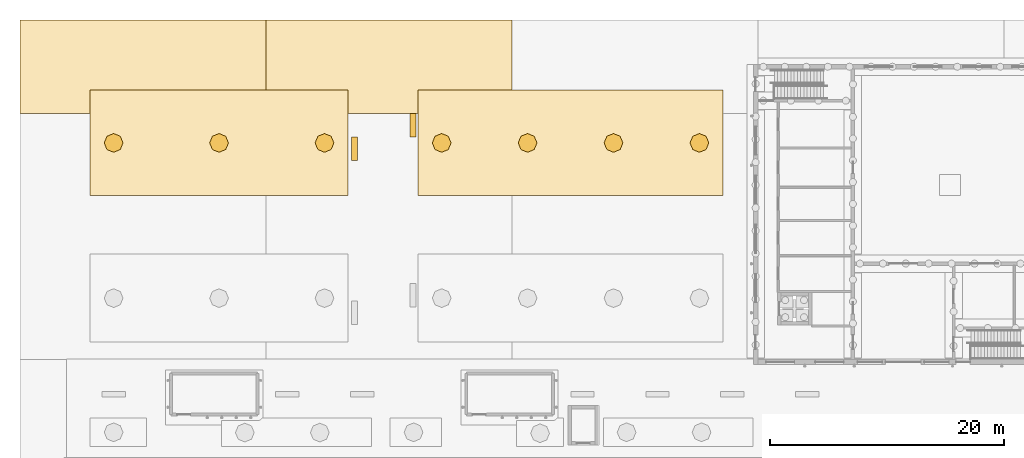
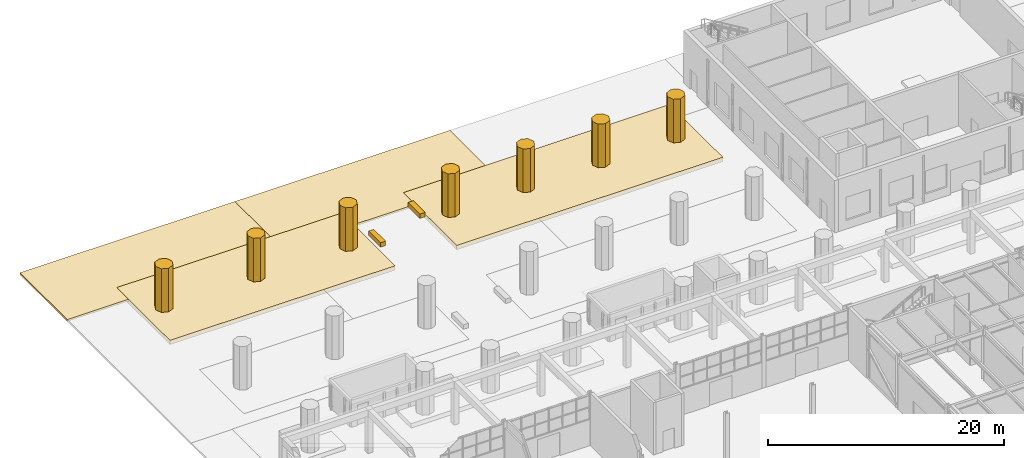
# One storey, part 118 of 127: 13 coverings.
"""IFC4 building model written with IfcOpenShell, lengths in metres."""

import ifcopenshell
import ifcopenshell.guid

model = None  # the IFC model being written
_history = None  # IfcOwnerHistory: only IFC2X3 demands one
_inside = {}  # id of a spatial element -> (the spatial element, [elements in it])
_under = {}  # id of a project, library or spatial element -> (it, [spatial elements below it])
_declared = {}  # id of a project -> (the project, [libraries it declares])
_typed = {}  # id of a type object -> (the type object, [elements of that type])
_made_of = {}  # id of a material, layer set ... -> (it, [elements and type objects made of it])


def new_model(schema):
    """Start an empty IFC model of exactly this schema.

    Asked for "IFC4X3", IfcOpenShell would pick the latest addendum, in which some entities
    have other attributes; the version numbers below select the first issue.
    IFC2X3 requires an IfcOwnerHistory on every rooted entity: one is made here for all.
    """
    global model, _history
    if schema == "IFC4X3":
        model = ifcopenshell.file(schema_version=(4, 3, 0, 0))
    else:
        model = ifcopenshell.file(schema=schema)
    _inside.clear()
    _under.clear()
    _declared.clear()
    _typed.clear()
    _made_of.clear()
    _history = None
    if model.schema == "IFC2X3":
        org = make("IfcOrganization", Name="unknown")
        user = make(
            "IfcPersonAndOrganization",
            ThePerson=make("IfcPerson", FamilyName="unknown"),
            TheOrganization=org,
        )
        app = make(
            "IfcApplication",
            ApplicationDeveloper=org,
            Version="unknown",
            ApplicationFullName="unknown",
            ApplicationIdentifier="unknown",
        )
        _history = make(
            "IfcOwnerHistory",
            OwningUser=user,
            OwningApplication=app,
            ChangeAction="ADDED",
            CreationDate=0,
        )
    return model


def make(cls, **values):
    """One entity of the class cls with the attributes given. An attribute that is None is left unset."""
    return model.create_entity(
        cls, **{name: value for name, value in values.items() if value is not None}
    )


def rooted(cls, **values):
    """An entity with a GlobalId (a new one), such as an element, a storey or a relation."""
    return make(cls, GlobalId=ifcopenshell.guid.new(), OwnerHistory=_history, **values)


def si_unit(unit_type, name, prefix=None):
    """IfcSIUnit, for example si_unit("LENGTHUNIT", "METRE", prefix="MILLI")."""
    return make("IfcSIUnit", UnitType=unit_type, Prefix=prefix, Name=name)


def assignment(units):
    """IfcUnitAssignment: the units of a project."""
    return None if units is None else make("IfcUnitAssignment", Units=units)


def point(xyz):
    """IfcCartesianPoint."""
    return None if xyz is None else make("IfcCartesianPoint", Coordinates=xyz)


def direction(xyz):
    """IfcDirection."""
    return None if xyz is None else make("IfcDirection", DirectionRatios=xyz)


def frame(location, z_axis=None, x_axis=None):
    """IfcAxis2Placement3D, a coordinate frame: its origin and axes. An axis left out is left unset."""
    return make(
        "IfcAxis2Placement3D",
        Location=point(location),
        Axis=direction(z_axis),
        RefDirection=direction(x_axis),
    )


def origin():
    """The frame at (0, 0, 0) with its axes left unset."""
    return frame((0.0, 0.0, 0.0))


def place(relative_to, where):
    """IfcLocalPlacement: puts the frame where relative to a parent placement (None: the world)."""
    return make(
        "IfcLocalPlacement", PlacementRelTo=relative_to, RelativePlacement=where
    )


def context(
    kind, dimensions, precision=None, world=None, true_north=None, identifier=None
):
    """IfcGeometricRepresentationContext, for example the 3D "Model" context."""
    return make(
        "IfcGeometricRepresentationContext",
        ContextIdentifier=identifier,
        ContextType=kind,
        CoordinateSpaceDimension=dimensions,
        Precision=precision,
        WorldCoordinateSystem=world,
        TrueNorth=true_north,
    )


def subcontext(parent, identifier, kind, view, scale=None):
    """IfcGeometricRepresentationSubContext, for example "Body" below "Model"."""
    return make(
        "IfcGeometricRepresentationSubContext",
        ContextIdentifier=identifier,
        ContextType=kind,
        ParentContext=parent,
        TargetScale=scale,
        TargetView=view,
    )


def project(units=None, contexts=None):
    """IfcProject with its units and contexts."""
    return rooted(
        "IfcProject",
        Name="project",
        RepresentationContexts=contexts,
        UnitsInContext=assignment(units),
    )


def spatial(cls, under=None, at=None, **own):
    """A site, building, storey or space (cls), placed at a placement, below another one or the project."""
    s = rooted(cls, ObjectPlacement=at, **own)
    if under is not None:
        _under.setdefault(under.id(), (under, []))[1].append(s)
    return s


def polyline(points):
    """IfcPolyline through the points."""
    return make("IfcPolyline", Points=[point(p) for p in points])


def outline(outer, holes=None, kind="AREA"):
    """IfcArbitraryClosedProfileDef: a profile drawn as a closed curve; with holes, ...WithVoids."""
    if holes is None:
        return make("IfcArbitraryClosedProfileDef", ProfileType=kind, OuterCurve=outer)
    return make(
        "IfcArbitraryProfileDefWithVoids",
        ProfileType=kind,
        OuterCurve=outer,
        InnerCurves=holes,
    )


def extrude(swept, where, along, depth):
    """IfcExtrudedAreaSolid: the profile swept, set in the frame where, extruded along a direction by depth."""
    return make(
        "IfcExtrudedAreaSolid",
        SweptArea=swept,
        Position=where,
        ExtrudedDirection=direction(along),
        Depth=depth,
    )


def shape(context_of_items, identifier, shape_type, items):
    """IfcShapeRepresentation: the items that make up one representation, for example the "Body"."""
    return make(
        "IfcShapeRepresentation",
        ContextOfItems=context_of_items,
        RepresentationIdentifier=identifier,
        RepresentationType=shape_type,
        Items=items,
    )


def material(Name=None, Category=None):
    """IfcMaterial."""
    return make("IfcMaterial", Name=Name, Category=Category)


def layer(
    of_material, thickness, ventilated=None, Name=None, Category=None, Priority=None
):
    """IfcMaterialLayer: one layer of a wall or slab, of a material (None: an air gap)."""
    return make(
        "IfcMaterialLayer",
        Material=of_material,
        LayerThickness=thickness,
        IsVentilated=ventilated,
        Name=Name,
        Category=Category,
        Priority=Priority,
    )


def layer_set(layers, Name=None):
    """IfcMaterialLayerSet."""
    return make("IfcMaterialLayerSet", MaterialLayers=layers, LayerSetName=Name)


def made_of(thing, what):
    """Note that an element or type object is made of a material, layer set ...; save() writes the relation."""
    if what is not None:
        _made_of.setdefault(what.id(), (what, []))[1].append(thing)
    return thing


def type_object(cls, material=None, **own):
    """A type object (cls), such as IfcWallType, which elements share."""
    return made_of(rooted(cls, **own), material)


def element(
    cls,
    number,
    at=None,
    inside=None,
    cuts=None,
    type_object=None,
    material=None,
    context=None,
    identifier="Body",
    shape_type=None,
    held_by="IfcProductDefinitionShape",
    body=None,
    shapes=None,
    **own,
):
    """One element of the class cls, such as IfcWall. Its Tag is "e" and its number.

    at: its placement. inside: the storey or other place that contains it. cuts: it is an
    opening in that element (IfcRelVoidsElement). A single representation is given by context,
    identifier, shape_type and body (its items); several are given by shapes. held_by: the class
    of the entity that holds the representations. save() writes the other relations.
    """
    e = rooted(cls, Tag="e%d" % number, ObjectPlacement=at, **own)
    if body is not None:
        shapes = [shape(context, identifier, shape_type, body)]
    if shapes is not None:
        e.Representation = make(held_by, Representations=shapes)
    if inside is not None:
        _inside.setdefault(inside.id(), (inside, []))[1].append(e)
    if cuts is not None:
        rooted(
            "IfcRelVoidsElement", RelatingBuildingElement=cuts, RelatedOpeningElement=e
        )
    if type_object is not None:
        _typed.setdefault(type_object.id(), (type_object, []))[1].append(e)
    return made_of(e, material)


def aggregate(whole, parts):
    """IfcRelAggregates: a whole, such as a stair, and the parts it consists of."""
    return rooted("IfcRelAggregates", RelatingObject=whole, RelatedObjects=parts)


def save(model, path):
    """Write the relations noted so far, then the file.

    IfcRelAggregates (storeys below a building ...), IfcRelContainedInSpatialStructure (elements
    in a storey), IfcRelDefinesByType, IfcRelAssociatesMaterial and IfcRelDeclares: one each for
    every whole, place, type object, material and project.
    """
    for whole, parts in _under.values():
        aggregate(whole, parts)
    for where, things in _inside.values():
        rooted(
            "IfcRelContainedInSpatialStructure",
            RelatedElements=things,
            RelatingStructure=where,
        )
    for kind, things in _typed.values():
        rooted("IfcRelDefinesByType", RelatedObjects=things, RelatingType=kind)
    for what, things in _made_of.values():
        rooted("IfcRelAssociatesMaterial", RelatedObjects=things, RelatingMaterial=what)
    for by, libraries in _declared.values():
        rooted("IfcRelDeclares", RelatingContext=by, RelatedDefinitions=libraries)
    model.write(path)


model = new_model("IFC4")

# Units and contexts
model_context = context("Model", 3, precision=1e-05, world=origin(), true_north=direction((0.0, 1.0)))
body_context = subcontext(model_context, "Body", "Model", "MODEL_VIEW")
ifc_project = project(units=[si_unit("LENGTHUNIT", "METRE"), si_unit("AREAUNIT", "SQUARE_METRE"), si_unit("VOLUMEUNIT", "CUBIC_METRE"), si_unit("PLANEANGLEUNIT", "RADIAN"), si_unit("MASSUNIT", "GRAM", prefix="KILO")], contexts=[model_context])

# Site, building, storey
site_placement = place(None, origin())
site = spatial("IfcSite", under=ifc_project, at=site_placement, CompositionType="ELEMENT")
building_placement = place(site_placement, origin())
building = spatial("IfcBuilding", under=site, at=building_placement, Name="Ljudholm Concert House", CompositionType="ELEMENT")
storey_placement = place(building_placement, origin())
storey = spatial("IfcBuildingStorey", under=building, at=storey_placement, Name="L00", CompositionType="ELEMENT", Elevation=0.0)

# Coverings
ifc_material_1 = material(Name="Planting soil and ground cover")
ifc_layer_1 = layer(ifc_material_1, 0.449951171875)
ifc_layer_set_1 = layer_set([ifc_layer_1], Name="Planting soil and ground cover")
covering_type_1 = type_object("IfcCoveringType", Name="PLANTING SOIL AND GROUND COVER FLOOR FINISH 450", PredefinedType="FLOORING", material=ifc_layer_set_1)
covering_1_placement = place(storey_placement, frame((0.0, 0.0, -0.449951171875)))
element("IfcCovering", 1, at=covering_1_placement, inside=storey, type_object=covering_type_1, Name="Garden bed", PredefinedType="FLOORING", context=body_context, shape_type="SweptSolid", body=[
    extrude(outline(polyline([(6.0, 161.0), (28.0, 161.0), (28.0, 170.0), (6.0, 170.0), (6.0, 161.0)])), origin(), (0.0, 0.0, 1.0), 0.449951171875),
])
covering_2_placement = place(storey_placement, frame((0.0, 0.0, -0.449951171875)))
element("IfcCovering", 2, at=covering_2_placement, inside=storey, type_object=covering_type_1, Name="Garden bed", PredefinedType="FLOORING", context=body_context, shape_type="SweptSolid", body=[
    extrude(outline(polyline([(34.0, 161.0), (60.0, 161.0), (60.0, 170.0), (34.0, 170.0), (34.0, 161.0)])), origin(), (0.0, 0.0, 1.0), 0.449951171875),
])
ifc_material_2 = material(Name="Precast concrete pavers on compacted sand bed", Category="concrete")
ifc_layer_2 = layer(ifc_material_2, 0.199951171875)
ifc_layer_set_2 = layer_set([ifc_layer_2], Name="Precast concrete pavers on compacted sand bed")
covering_type_2 = type_object("IfcCoveringType", Name="PRECAST CONCRETE PAVERS ON COMPACTED SAND BED PAVING 200", PredefinedType="USERDEFINED", material=ifc_layer_set_2)
covering_3_placement = place(storey_placement, frame((0.0, 0.0, -0.199951171875)))
element("IfcCovering", 3, at=covering_3_placement, inside=storey, type_object=covering_type_2, Name="Paving", ObjectType="PAVING", PredefinedType="USERDEFINED", context=body_context, shape_type="SweptSolid", body=[
    extrude(outline(polyline([(0.010009765625, 175.989990234375), (21.0, 175.989990234375), (21.0, 170.0), (6.0, 170.0), (6.0, 168.0), (0.010009765625, 168.0), (0.010009765625, 175.989990234375)])), origin(), (0.0, 0.0, 1.0), 0.199951171875),
])
covering_4_placement = place(storey_placement, frame((0.0, 0.0, -0.199951171875)))
element("IfcCovering", 4, at=covering_4_placement, inside=storey, type_object=covering_type_2, Name="Paving", ObjectType="PAVING", PredefinedType="USERDEFINED", context=body_context, shape_type="SweptSolid", body=[
    extrude(outline(polyline([(42.0, 175.989990234375), (42.0, 170.0), (34.0, 170.0), (34.0, 168.0), (28.0, 168.0), (28.0, 170.0), (21.0, 170.0), (21.0, 175.989990234375), (42.0, 175.989990234375)])), origin(), (0.0, 0.0, 1.0), 0.199951171875),
])
ifc_material_3 = material(Name="Timber-grain hardwood decking on concrete plinth", Category="concrete")
ifc_layer_3 = layer(ifc_material_3, 0.449951171875)
ifc_layer_set_3 = layer_set([ifc_layer_3], Name="Timber-grain hardwood decking on concrete plinth")
covering_type_3 = type_object("IfcCoveringType", Name="TIMBER-GRAIN HARDWOOD DECKING ON CONCRETE PLINTH FLOOR FINISH 450", PredefinedType="FLOORING", material=ifc_layer_set_3)
covering_5_placement = place(storey_placement, origin())
element("IfcCovering", 5, at=covering_5_placement, inside=storey, type_object=covering_type_3, Name="Timber seating platform", PredefinedType="FLOORING", context=body_context, shape_type="SweptSolid", body=[
    extrude(outline(polyline([(28.300048828125, 164.0), (28.800048828125, 164.0), (28.800048828125, 166.0), (28.300048828125, 166.0), (28.300048828125, 164.0)])), origin(), (0.0, 0.0, 1.0), 0.449951171875),
])
covering_6_placement = place(storey_placement, origin())
element("IfcCovering", 6, at=covering_6_placement, inside=storey, type_object=covering_type_3, Name="Timber seating platform", PredefinedType="FLOORING", context=body_context, shape_type="SweptSolid", body=[
    extrude(outline(polyline([(33.300048828125, 166.0), (33.800048828125, 166.0), (33.800048828125, 168.0), (33.300048828125, 168.0), (33.300048828125, 166.0)])), origin(), (0.0, 0.0, 1.0), 0.449951171875),
])
ifc_material_4 = material(Name="Tree planting")
covering_type_4 = type_object("IfcCoveringType", Name="TREE TRUNK AND CROWN 1600", PredefinedType="USERDEFINED", material=ifc_material_4)
covering_7_placement = place(storey_placement, origin())
element("IfcCovering", 7, at=covering_7_placement, inside=storey, type_object=covering_type_4, Name="Tree", ObjectType="TREE", PredefinedType="USERDEFINED", context=body_context, shape_type="SweptSolid", body=[
    extrude(outline(polyline([(8.800048828125, 165.5), (8.565673828125, 166.065673828125), (8.0, 166.300048828125), (7.434326171875, 166.065673828125), (7.199951171875, 165.5), (7.434326171875, 164.934326171875), (8.0, 164.699951171875), (8.565673828125, 164.934326171875), (8.800048828125, 165.5)])), origin(), (0.0, 0.0, 1.0), 4.5),
])
covering_8_placement = place(storey_placement, origin())
element("IfcCovering", 8, at=covering_8_placement, inside=storey, type_object=covering_type_4, Name="Tree", ObjectType="TREE", PredefinedType="USERDEFINED", context=body_context, shape_type="SweptSolid", body=[
    extrude(outline(polyline([(17.800048828125, 165.5), (17.565673828125, 166.065673828125), (17.0, 166.300048828125), (16.434326171875, 166.065673828125), (16.199951171875, 165.5), (16.434326171875, 164.934326171875), (17.0, 164.699951171875), (17.565673828125, 164.934326171875), (17.800048828125, 165.5)])), origin(), (0.0, 0.0, 1.0), 4.5),
])
covering_9_placement = place(storey_placement, origin())
element("IfcCovering", 9, at=covering_9_placement, inside=storey, type_object=covering_type_4, Name="Tree", ObjectType="TREE", PredefinedType="USERDEFINED", context=body_context, shape_type="SweptSolid", body=[
    extrude(outline(polyline([(26.800048828125, 165.5), (26.565673828125, 166.065673828125), (26.0, 166.300048828125), (25.434326171875, 166.065673828125), (25.199951171875, 165.5), (25.434326171875, 164.934326171875), (26.0, 164.699951171875), (26.565673828125, 164.934326171875), (26.800048828125, 165.5)])), origin(), (0.0, 0.0, 1.0), 4.5),
])
covering_10_placement = place(storey_placement, origin())
element("IfcCovering", 10, at=covering_10_placement, inside=storey, type_object=covering_type_4, Name="Tree", ObjectType="TREE", PredefinedType="USERDEFINED", context=body_context, shape_type="SweptSolid", body=[
    extrude(outline(polyline([(36.800048828125, 165.5), (36.565673828125, 166.065673828125), (36.0, 166.300048828125), (35.434326171875, 166.065673828125), (35.199951171875, 165.5), (35.434326171875, 164.934326171875), (36.0, 164.699951171875), (36.565673828125, 164.934326171875), (36.800048828125, 165.5)])), origin(), (0.0, 0.0, 1.0), 4.5),
])
covering_11_placement = place(storey_placement, origin())
element("IfcCovering", 11, at=covering_11_placement, inside=storey, type_object=covering_type_4, Name="Tree", ObjectType="TREE", PredefinedType="USERDEFINED", context=body_context, shape_type="SweptSolid", body=[
    extrude(outline(polyline([(44.13330078125, 165.5), (43.89892578125, 166.065673828125), (43.333251953125, 166.300048828125), (42.767578125, 166.065673828125), (42.533447265625, 165.5), (42.767578125, 164.934326171875), (43.333251953125, 164.699951171875), (43.89892578125, 164.934326171875), (44.13330078125, 165.5)])), origin(), (0.0, 0.0, 1.0), 4.5),
])
covering_12_placement = place(storey_placement, origin())
element("IfcCovering", 12, at=covering_12_placement, inside=storey, type_object=covering_type_4, Name="Tree", ObjectType="TREE", PredefinedType="USERDEFINED", context=body_context, shape_type="SweptSolid", body=[
    extrude(outline(polyline([(51.466552734375, 165.5), (51.232421875, 166.065673828125), (50.666748046875, 166.300048828125), (50.10107421875, 166.065673828125), (49.86669921875, 165.5), (50.10107421875, 164.934326171875), (50.666748046875, 164.699951171875), (51.232421875, 164.934326171875), (51.466552734375, 165.5)])), origin(), (0.0, 0.0, 1.0), 4.5),
])
covering_13_placement = place(storey_placement, origin())
element("IfcCovering", 13, at=covering_13_placement, inside=storey, type_object=covering_type_4, Name="Tree", ObjectType="TREE", PredefinedType="USERDEFINED", context=body_context, shape_type="SweptSolid", body=[
    extrude(outline(polyline([(58.800048828125, 165.5), (58.565673828125, 166.065673828125), (58.0, 166.300048828125), (57.434326171875, 166.065673828125), (57.199951171875, 165.5), (57.434326171875, 164.934326171875), (58.0, 164.699951171875), (58.565673828125, 164.934326171875), (58.800048828125, 165.5)])), origin(), (0.0, 0.0, 1.0), 4.5),
])

save(model, "model.ifc")
